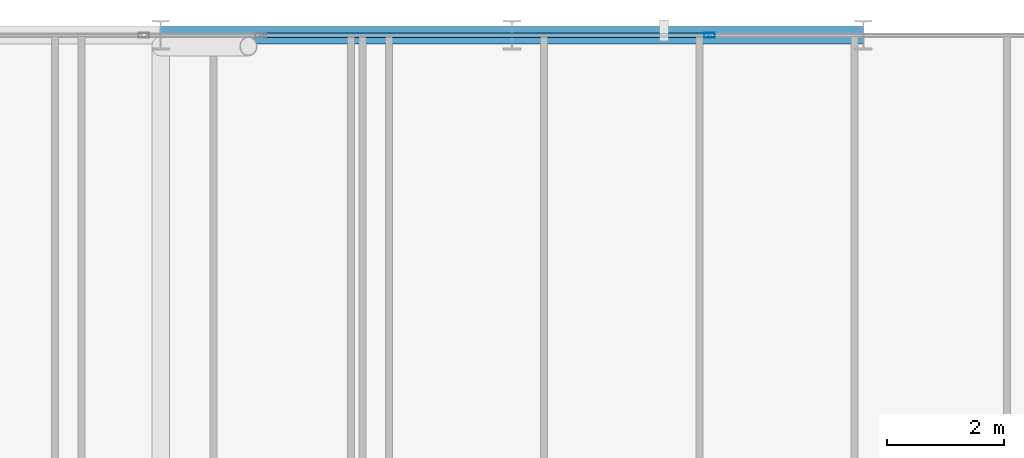
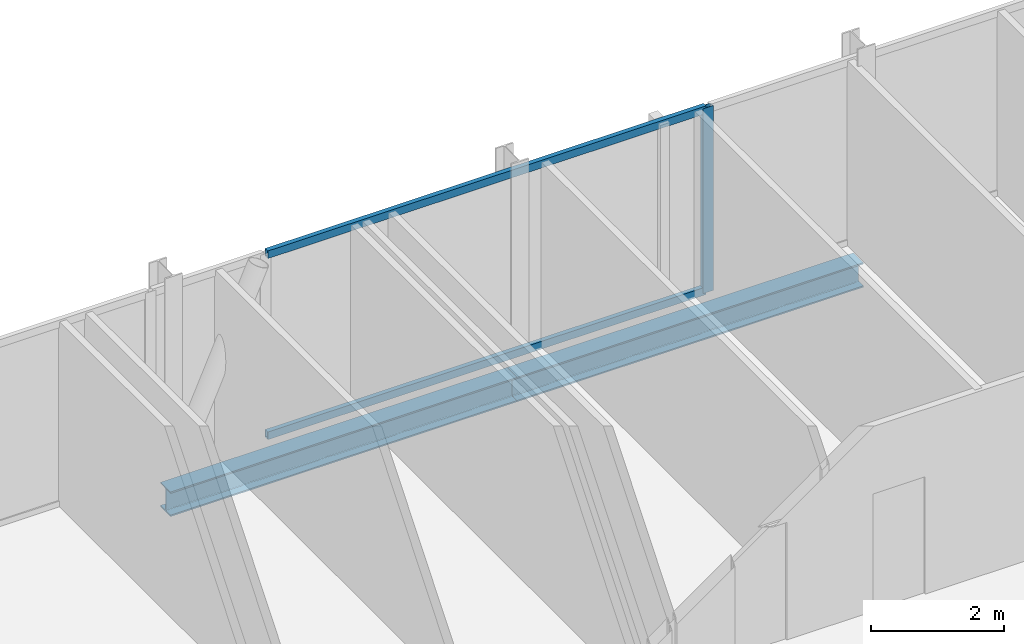
# One storey, part 20 of 31: 3 members, 2 beams, 1 element without a shape of its own.
"""IFC4 building model written with IfcOpenShell, lengths in metres."""

from ifc_helpers import new_model, si_unit, direction, frame, origin, origin_2d, place, context, subcontext, project, spatial, hollow_rectangle, i_section, extrude, material, layer, layer_set, material_profile, profile_set, type_object, element, aggregate, save


model = new_model("IFC4")

# Units and contexts
model_context = context("Model", 3, precision=1e-05, world=origin(), true_north=direction((0.0, 1.0)))
body_context = subcontext(model_context, "Body", "Model", "MODEL_VIEW")
ifc_project = project(units=[si_unit("LENGTHUNIT", "METRE"), si_unit("AREAUNIT", "SQUARE_METRE"), si_unit("VOLUMEUNIT", "CUBIC_METRE"), si_unit("PLANEANGLEUNIT", "RADIAN"), si_unit("MASSUNIT", "GRAM", prefix="KILO")], contexts=[model_context])

# Site, building, storey
site_placement = place(None, origin())
site = spatial("IfcSite", under=ifc_project, at=site_placement, CompositionType="ELEMENT")
building_placement = place(site_placement, origin())
building = spatial("IfcBuilding", under=site, at=building_placement, Name="Keshet Zoharim Tower", CompositionType="ELEMENT")
storey_placement = place(building_placement, frame((0.0, 0.0, 140.89990234375)))
storey = spatial("IfcBuildingStorey", under=building, at=storey_placement, Name="L34", CompositionType="ELEMENT", Elevation=140.89990234375)

# Beams
ifc_material_1 = material(Name="Steel S355", Category="steel")
ifc_material_profile_1 = material_profile(ifc_material_1, i_section(OverallWidth=0.300048828125, OverallDepth=0.449951171875, WebThickness=0.013916015625, FlangeThickness=0.02587890625, FilletRadius=0.027099609375, at=origin_2d()), Name="HEB450")
ifc_profile_set_1 = profile_set([ifc_material_profile_1], Name="Steel S355")
beam_type = type_object("IfcBeamType", Name="BM-WEB-HB450", PredefinedType="BEAM", material=ifc_profile_set_1)
for number, where, z_axis, x_axis, name in (
    (1, (33.0, 53.89990234375, -0.539794921875), (1.0, 0.0, 0.0), (0.0, 1.0, 0.0), "L34 Primary Girder X-022"),
    (2, (39.0, 53.89990234375, -0.539794921875), (1.0, 0.0, 0.0), (0.0, 1.0, 0.0), "L34 Primary Girder X-023"),
):
    element("IfcBeam", number, at=place(storey_placement, frame(where, z_axis=z_axis, x_axis=x_axis)), inside=storey, type_object=beam_type, Name=name, PredefinedType="BEAM", context=body_context, shape_type="SweptSolid", body=[
        extrude(i_section(OverallWidth=0.300048828125, OverallDepth=0.449951171875, WebThickness=0.013916015625, FlangeThickness=0.02587890625, FilletRadius=0.027099609375, at=origin_2d()), origin(), (0.0, 0.0, 1.0), 6.0),
    ])

# Curtain wall, members
ifc_material_2 = material(Name="Aluminium 6063-T6", Category="aluminium")
ifc_layer = layer(ifc_material_2, 0.159912109375)
ifc_layer_set = layer_set([ifc_layer], Name="Aluminium 6063-T6")
curtain_wall_type = type_object("IfcCurtainWallType", Name="CW-SYS-03", PredefinedType="NOTDEFINED", material=ifc_layer_set)
curtain_wall_placement = place(storey_placement, origin())
curtain_wall = element("IfcCurtainWall", 3, at=curtain_wall_placement, inside=storey, type_object=curtain_wall_type, Name="L34 Unitised Curtain Wall 13 Part 5", PredefinedType="NOTDEFINED")
ifc_material_profile_2 = material_profile(ifc_material_2, hollow_rectangle(XDim=0.080078125, YDim=0.179931640625, WallThickness=0.00439453125, at=origin_2d()), Name="MUL-80x180")
ifc_profile_set_2 = profile_set([ifc_material_profile_2], Name="Aluminium 6063-T6")
member_type_1 = type_object("IfcMemberType", Name="CWM-M18", PredefinedType="MULLION", material=ifc_profile_set_2)
member_1_placement = place(storey_placement, frame((42.3740234375, 53.89990234375, 0.0), z_axis=(0.0, 0.0, 1.0), x_axis=(0.0, 1.0, 0.0)))
member_1 = element("IfcMember", 4, at=member_1_placement, type_object=member_type_1, Name="CW-03 mullion 2", PredefinedType="MULLION", context=body_context, shape_type="SweptSolid", body=[
    extrude(hollow_rectangle(XDim=0.080078125, YDim=0.179931640625, WallThickness=0.00439453125, at=origin_2d()), origin(), (0.0, 0.0, 1.0), 3.385009765625),
])
ifc_material_profile_3 = material_profile(ifc_material_2, hollow_rectangle(XDim=0.080078125, YDim=0.139892578125, WallThickness=0.00390625, at=origin_2d()), Name="TRN-80x140")
ifc_profile_set_3 = profile_set([ifc_material_profile_3], Name="Aluminium 6063-T6")
member_type_2 = type_object("IfcMemberType", Name="CWT-T14", PredefinedType="USERDEFINED", material=ifc_profile_set_3)
member_2_placement = place(storey_placement, frame((34.748046875, 53.89990234375, 0.03515625), z_axis=(1.0, 0.0, 0.0), x_axis=(0.0, 1.0, 0.0)))
member_2 = element("IfcMember", 5, at=member_2_placement, type_object=member_type_2, Name="CW-03 transom 1.1", ObjectType="TRANSOM", PredefinedType="USERDEFINED", context=body_context, shape_type="SweptSolid", body=[
    extrude(hollow_rectangle(XDim=0.080078125, YDim=0.139892578125, WallThickness=0.00390625, at=origin_2d()), origin(), (0.0, 0.0, 1.0), 7.591064453125),
])
member_3_placement = place(storey_placement, frame((34.748046875, 53.89990234375, 3.35009765625), z_axis=(1.0, 0.0, 0.0), x_axis=(0.0, 1.0, 0.0)))
member_3 = element("IfcMember", 6, at=member_3_placement, type_object=member_type_2, Name="CW-03 transom 1.2", ObjectType="TRANSOM", PredefinedType="USERDEFINED", context=body_context, shape_type="SweptSolid", body=[
    extrude(hollow_rectangle(XDim=0.080078125, YDim=0.139892578125, WallThickness=0.00390625, at=origin_2d()), origin(), (0.0, 0.0, 1.0), 7.591064453125),
])
aggregate(curtain_wall, [member_1, member_2, member_3])

save(model, "model.ifc")
